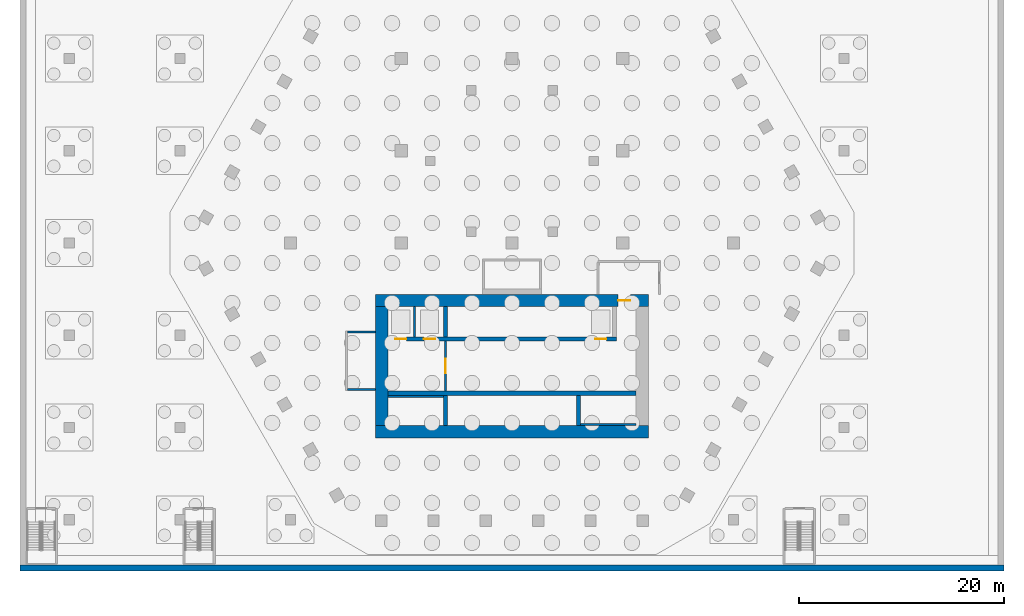
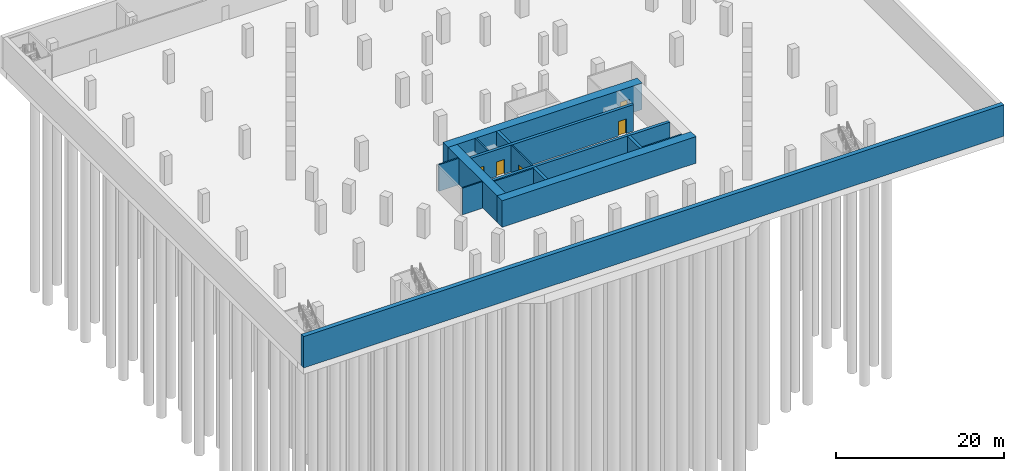
# One storey, part 5 of 21: 15 walls, 5 doors, 5 openings.
"""IFC4 building model written with IfcOpenShell, lengths in metres."""

from ifc_helpers import new_model, si_unit, direction, frame, frame_2d, origin, place, context, subcontext, project, spatial, rectangle, extrude, material, layer, layer_set, type_object, element, fill, save


model = new_model("IFC4")

# Units and contexts
model_context = context("Model", 3, precision=1e-05, world=origin(), true_north=direction((0.0, 1.0)))
body_context = subcontext(model_context, "Body", "Model", "MODEL_VIEW")
ifc_project = project(units=[si_unit("LENGTHUNIT", "METRE"), si_unit("AREAUNIT", "SQUARE_METRE"), si_unit("VOLUMEUNIT", "CUBIC_METRE"), si_unit("PLANEANGLEUNIT", "RADIAN"), si_unit("MASSUNIT", "GRAM", prefix="KILO")], contexts=[model_context])

# Site, building, storey
site_placement = place(None, origin())
site = spatial("IfcSite", under=ifc_project, at=site_placement, CompositionType="ELEMENT")
building_placement = place(site_placement, origin())
building = spatial("IfcBuilding", under=site, at=building_placement, Name="Beryl Residences", CompositionType="ELEMENT")
storey_placement = place(building_placement, frame((0.0, 0.0, -8.39990234375)))
storey = spatial("IfcBuildingStorey", under=building, at=storey_placement, Name="B2", CompositionType="ELEMENT", Elevation=-8.39990234375)

# Wall, opening, door
ifc_material_1 = material(Name="Concrete masonry", Category="masonry")
ifc_layer_1 = layer(ifc_material_1, 0.199951171875)
ifc_layer_set_1 = layer_set([ifc_layer_1], Name="PT13 lobby wall 200 mm")
wall_type_1 = type_object("IfcWallType", Name="PT13 lobby wall 200 mm", PredefinedType="PARTITIONING", material=ifc_layer_set_1)
wall_1_placement = place(storey_placement, frame((-6.5, -14.449951171875, 0.0), z_axis=(0.0, 0.0, 1.0), x_axis=(0.0, 1.0, 0.0)))
wall_1 = element("IfcWall", 1, at=wall_1_placement, inside=storey, type_object=wall_type_1, Name="Lobby wall 06", PredefinedType="PARTITIONING", context=body_context, shape_type="SweptSolid", body=[
    extrude(rectangle(XDim=4.89990234375, YDim=0.199951171875, at=frame_2d((2.449951171875, 0.0))), origin(), (0.0, 0.0, 1.0), 3.849853515625),
])
opening_1_placement = place(wall_1_placement, frame((3.14990234375, 0.0, 0.0), z_axis=(0.0, 0.0, 1.0), x_axis=(-1.0, 0.0, 0.0)))
opening_1 = element("IfcOpeningElement", 2, at=opening_1_placement, cuts=wall_1, Name="Opening FD-FFL", PredefinedType="OPENING", context=body_context, shape_type="SweptSolid", body=[
    extrude(rectangle(XDim=1.39990234375, YDim=2.10009765625, at=frame_2d((0.699951171875, 1.050048828125))), frame((0.0, 0.10986328125, 0.0), z_axis=(0.0, -1.0, 0.0), x_axis=(1.0, 0.0, 0.0)), (0.0, 0.0, 1.0), 0.219970703125),
])
ifc_material_2 = material(Name="Steel door leaf in steel frame", Category="steel")
door_type_1 = type_object("IfcDoorType", Name="D5 lobby door 1400 x 2100 mm", OperationType="DOUBLE_DOOR_SINGLE_SWING", PredefinedType="DOOR", material=ifc_material_2)
door_1_placement = place(opening_1_placement, origin())
door_1 = element("IfcDoor", 3, at=door_1_placement, inside=storey, type_object=door_type_1, Name="Door FD-FFL B2 001", OperationType="DOUBLE_DOOR_SINGLE_SWING", OverallHeight=2.10009765625, OverallWidth=1.39990234375, PredefinedType="DOOR", context=body_context, shape_type="SweptSolid", body=[
    extrude(rectangle(XDim=1.39990234375, YDim=2.10009765625, at=frame_2d((0.699951171875, 1.050048828125))), frame((0.0, 0.02490234375, 0.0), z_axis=(0.0, -1.0, 0.0), x_axis=(1.0, 0.0, 0.0)), (0.0, 0.0, 1.0), 0.050048828125),
])
fill(opening_1, door_1)

# Walls
ifc_material_3 = material(Name="Concrete C40/50", Category="concrete")
ifc_layer_2 = layer(ifc_material_3, 0.199951171875)
ifc_layer_set_2 = layer_set([ifc_layer_2], Name="PT5 stair enclosure wall 200 mm reinforced concrete C40/50")
wall_type_2 = type_object("IfcWallType", Name="PT5 stair enclosure wall 200 mm reinforced concrete C40/50", PredefinedType="SOLIDWALL", material=ifc_layer_set_2)
for number, where, z_axis, x_axis, name in (
    (4, (-16.050048828125, -14.300048828125, 0.0), (0.0, 0.0, 1.0), (1.0, 0.0, 0.0), "Stair wall 02"),
    (5, (-16.050048828125, -8.699951171875, 0.0), (0.0, 0.0, 1.0), (1.0, 0.0, 0.0), "Stair wall 03"),
):
    element("IfcWall", number, at=place(storey_placement, frame(where, z_axis=z_axis, x_axis=x_axis)), inside=storey, type_object=wall_type_2, Name=name, PredefinedType="SOLIDWALL", context=body_context, shape_type="SweptSolid", body=[
        extrude(rectangle(XDim=2.75, YDim=0.199951171875, at=frame_2d((1.375, 0.0))), origin(), (0.0, 0.0, 1.0), 3.849853515625),
    ])
for number, where, z_axis, x_axis, name in (
    (6, (-12.10009765625, -14.949951171875, 0.0), (0.0, 0.0, 1.0), (1.0, 0.0, 0.0), "Stair wall 04"),
    (7, (6.699951171875, -17.699951171875, 0.0), (0.0, 0.0, 1.0), (1.0, 0.0, 0.0), "Stair wall 07"),
):
    element("IfcWall", number, at=place(storey_placement, frame(where, z_axis=z_axis, x_axis=x_axis)), inside=storey, type_object=wall_type_2, Name=name, PredefinedType="SOLIDWALL", context=body_context, shape_type="SweptSolid", body=[
        extrude(rectangle(XDim=5.400146484375, YDim=0.199951171875, at=frame_2d((2.7001953125, 0.0))), origin(), (0.0, 0.0, 1.0), 3.849853515625),
    ])
ifc_material_4 = material(Name="Concrete C40/50", Category="concrete")
ifc_layer_3 = layer(ifc_material_4, 0.199951171875)
ifc_layer_set_3 = layer_set([ifc_layer_3], Name="PT6 lift shaft wall 200 mm reinforced concrete C40/50")
wall_type_3 = type_object("IfcWallType", Name="PT6 lift shaft wall 200 mm reinforced concrete C40/50", PredefinedType="SOLIDWALL", material=ifc_layer_set_3)
wall_2_placement = place(storey_placement, frame((-9.5, -9.14990234375, 0.0), z_axis=(0.0, 0.0, 1.0), x_axis=(0.0, 1.0, 0.0)))
element("IfcWall", 8, at=wall_2_placement, inside=storey, type_object=wall_type_3, Name="Lift shaft wall 05", PredefinedType="SOLIDWALL", context=body_context, shape_type="SweptSolid", body=[
    extrude(rectangle(XDim=2.949951171875, YDim=0.199951171875, at=frame_2d((1.47509765625, 0.0))), origin(), (0.0, 0.0, 1.0), 3.849853515625),
])
ifc_material_5 = material(Name="Concrete C50/60", Category="concrete")
ifc_layer_4 = layer(ifc_material_5, 0.60009765625)
ifc_layer_set_4 = layer_set([ifc_layer_4], Name="RW1 basement wall 600 mm C50/60")
wall_type_4 = type_object("IfcWallType", Name="RW1 basement wall 600 mm C50/60", PredefinedType="SOLIDWALL", material=ifc_layer_set_4)
wall_3_placement = place(storey_placement, frame((-48.0, -31.699951171875, -0.35009765625), z_axis=(0.0, 0.0, 1.0), x_axis=(1.0, 0.0, 0.0)))
element("IfcWall", 9, at=wall_3_placement, inside=storey, type_object=wall_type_4, Name="RW1 B2 S", PredefinedType="SOLIDWALL", context=body_context, shape_type="SweptSolid", body=[
    extrude(rectangle(XDim=96.0, YDim=0.60009765625, at=frame_2d((48.0, 0.0))), origin(), (0.0, 0.0, 1.0), 4.550048828125),
])
ifc_material_6 = material(Name="Concrete C80/95", Category="concrete")
ifc_layer_5 = layer(ifc_material_6, 1.199951171875)
ifc_layer_set_5 = layer_set([ifc_layer_5], Name="SW1 core outer wall 1200 mm C80/95")
wall_type_5 = type_object("IfcWallType", Name="SW1 core outer wall 1200 mm C80/95", PredefinedType="SHEAR", material=ifc_layer_set_5)
wall_4_placement = place(storey_placement, frame((-13.300048828125, -18.39990234375, 0.0), z_axis=(0.0, 0.0, 1.0), x_axis=(1.0, 0.0, 0.0)))
element("IfcWall", 10, at=wall_4_placement, inside=storey, type_object=wall_type_5, Name="Core wall S B2", PredefinedType="SHEAR", context=body_context, shape_type="SweptSolid", body=[
    extrude(rectangle(XDim=26.60009765625, YDim=1.199951171875, at=frame_2d((13.300048828125, 0.0))), origin(), (0.0, 0.0, 1.0), 3.849853515625),
])

# Wall, opening, door
wall_5_placement = place(storey_placement, frame((-13.300048828125, -5.60009765625, 0.0), z_axis=(0.0, 0.0, 1.0), x_axis=(1.0, 0.0, 0.0)))
wall_5 = element("IfcWall", 11, at=wall_5_placement, inside=storey, type_object=wall_type_5, Name="Core wall N B2", PredefinedType="SHEAR", context=body_context, shape_type="SweptSolid", body=[
    extrude(rectangle(XDim=26.60009765625, YDim=1.199951171875, at=frame_2d((13.300048828125, 0.0))), origin(), (0.0, 0.0, 1.0), 3.849853515625),
])
opening_2_placement = place(wall_5_placement, frame((23.64990234375, 0.0, 0.0)))
opening_2 = element("IfcOpeningElement", 12, at=opening_2_placement, cuts=wall_5, Name="Opening FD-NORTH", PredefinedType="OPENING", context=body_context, shape_type="SweptSolid", body=[
    extrude(rectangle(XDim=1.199951171875, YDim=2.10009765625, at=frame_2d((0.60009765625, 1.050048828125))), frame((0.0, 0.60986328125, 0.0), z_axis=(0.0, -1.0, 0.0), x_axis=(1.0, 0.0, 0.0)), (0.0, 0.0, 1.0), 1.219970703125),
])
ifc_material_7 = material(Name="Steel door leaf in steel frame", Category="steel")
door_type_2 = type_object("IfcDoorType", Name="D22 lobby door 1200 x 2100 mm", OperationType="DOUBLE_DOOR_SINGLE_SWING", PredefinedType="DOOR", material=ifc_material_7)
door_2_placement = place(opening_2_placement, origin())
door_2 = element("IfcDoor", 13, at=door_2_placement, inside=storey, type_object=door_type_2, Name="Door FD-NORTH B2 001", OperationType="DOUBLE_DOOR_SINGLE_SWING", OverallHeight=2.10009765625, OverallWidth=1.199951171875, PredefinedType="DOOR", context=body_context, shape_type="SweptSolid", body=[
    extrude(rectangle(XDim=1.199951171875, YDim=2.10009765625, at=frame_2d((0.60009765625, 1.050048828125))), frame((0.0, 0.02490234375, 0.0), z_axis=(0.0, -1.0, 0.0), x_axis=(1.0, 0.0, 0.0)), (0.0, 0.0, 1.0), 0.050048828125),
])
fill(opening_2, door_2)

# Walls
wall_6_placement = place(storey_placement, frame((-12.699951171875, -17.800048828125, 0.0), z_axis=(0.0, 0.0, 1.0), x_axis=(0.0, 1.0, 0.0)))
element("IfcWall", 14, at=wall_6_placement, inside=storey, type_object=wall_type_5, Name="Core wall W B2", PredefinedType="SHEAR", context=body_context, shape_type="SweptSolid", body=[
    extrude(rectangle(XDim=11.60009765625, YDim=1.199951171875, at=frame_2d((5.800048828125, 0.0))), origin(), (0.0, 0.0, 1.0), 3.849853515625),
])
ifc_material_8 = material(Name="Concrete C80/95", Category="concrete")
ifc_layer_6 = layer(ifc_material_8, 0.39990234375)
ifc_layer_set_6 = layer_set([ifc_layer_6], Name="SW6 core internal wall 400 mm C80/95")
wall_type_6 = type_object("IfcWallType", Name="SW6 core internal wall 400 mm C80/95", PredefinedType="SHEAR", material=ifc_layer_set_6)
wall_7_placement = place(storey_placement, frame((-12.10009765625, -14.64990234375, 0.0), z_axis=(0.0, 0.0, 1.0), x_axis=(1.0, 0.0, 0.0)))
element("IfcWall", 15, at=wall_7_placement, inside=storey, type_object=wall_type_6, Name="Core wall SP1 B2", PredefinedType="SHEAR", context=body_context, shape_type="SweptSolid", body=[
    extrude(rectangle(XDim=24.2001953125, YDim=0.39990234375, at=frame_2d((12.10009765625, 0.0))), origin(), (0.0, 0.0, 1.0), 3.849853515625),
])

# Wall, openings, doors
wall_8_placement = place(storey_placement, frame((-12.10009765625, -9.35009765625, 0.0), z_axis=(0.0, 0.0, 1.0), x_axis=(1.0, 0.0, 0.0)))
wall_8 = element("IfcWall", 16, at=wall_8_placement, inside=storey, type_object=wall_type_6, Name="Core wall SP2 B2", PredefinedType="SHEAR", context=body_context, shape_type="SweptSolid", body=[
    extrude(rectangle(XDim=22.300048828125, YDim=0.39990234375, at=frame_2d((11.14990234375, 0.0))), origin(), (0.0, 0.0, 1.0), 3.849853515625),
])
opening_3_placement = place(wall_8_placement, frame((0.699951171875, 0.0, 0.0)))
opening_3 = element("IfcOpeningElement", 17, at=opening_3_placement, cuts=wall_8, Name="Opening LD-FF1", PredefinedType="OPENING", context=body_context, shape_type="SweptSolid", body=[
    extrude(rectangle(XDim=1.10009765625, YDim=2.10009765625, at=frame_2d((0.550048828125, 1.050048828125))), frame((0.0, 0.2099609375, 0.0), z_axis=(0.0, -1.0, 0.0), x_axis=(1.0, 0.0, 0.0)), (0.0, 0.0, 1.0), 0.419921875),
])
opening_4_placement = place(wall_8_placement, frame((3.5, 0.0, 0.0)))
opening_4 = element("IfcOpeningElement", 18, at=opening_4_placement, cuts=wall_8, Name="Opening LD-FF2", PredefinedType="OPENING", context=body_context, shape_type="SweptSolid", body=[
    extrude(rectangle(XDim=1.10009765625, YDim=2.10009765625, at=frame_2d((0.550048828125, 1.050048828125))), frame((0.0, 0.2099609375, 0.0), z_axis=(0.0, -1.0, 0.0), x_axis=(1.0, 0.0, 0.0)), (0.0, 0.0, 1.0), 0.419921875),
])
opening_5_placement = place(wall_8_placement, frame((20.199951171875, 0.0, 0.0)))
opening_5 = element("IfcOpeningElement", 19, at=opening_5_placement, cuts=wall_8, Name="Opening LD-SL1", PredefinedType="OPENING", context=body_context, shape_type="SweptSolid", body=[
    extrude(rectangle(XDim=1.10009765625, YDim=2.10009765625, at=frame_2d((0.550048828125, 1.050048828125))), frame((0.0, 0.2099609375, 0.0), z_axis=(0.0, -1.0, 0.0), x_axis=(1.0, 0.0, 0.0)), (0.0, 0.0, 1.0), 0.419921875),
])
ifc_material_9 = material(Name="Stainless steel sliding door", Category="steel")
door_type_3 = type_object("IfcDoorType", Name="LD1 lift landing door 1100 x 2100 mm", OperationType="DOUBLE_DOOR_SLIDING", PredefinedType="DOOR", material=ifc_material_9)
door_3_placement = place(opening_3_placement, origin())
door_3 = element("IfcDoor", 20, at=door_3_placement, inside=storey, type_object=door_type_3, Name="Lift landing door FF1", OperationType="DOUBLE_DOOR_SLIDING", OverallHeight=2.10009765625, OverallWidth=1.10009765625, PredefinedType="DOOR", context=body_context, shape_type="SweptSolid", body=[
    extrude(rectangle(XDim=1.10009765625, YDim=2.10009765625, at=frame_2d((0.550048828125, 1.050048828125))), frame((0.0, 0.02490234375, 0.0), z_axis=(0.0, -1.0, 0.0), x_axis=(1.0, 0.0, 0.0)), (0.0, 0.0, 1.0), 0.050048828125),
])
fill(opening_3, door_3)
door_4_placement = place(opening_4_placement, origin())
door_4 = element("IfcDoor", 21, at=door_4_placement, inside=storey, type_object=door_type_3, Name="Lift landing door FF2", OperationType="DOUBLE_DOOR_SLIDING", OverallHeight=2.10009765625, OverallWidth=1.10009765625, PredefinedType="DOOR", context=body_context, shape_type="SweptSolid", body=[
    extrude(rectangle(XDim=1.10009765625, YDim=2.10009765625, at=frame_2d((0.550048828125, 1.050048828125))), frame((0.0, 0.02490234375, 0.0), z_axis=(0.0, -1.0, 0.0), x_axis=(1.0, 0.0, 0.0)), (0.0, 0.0, 1.0), 0.050048828125),
])
fill(opening_4, door_4)
door_5_placement = place(opening_5_placement, origin())
door_5 = element("IfcDoor", 22, at=door_5_placement, inside=storey, type_object=door_type_3, Name="Lift landing door SL1", OperationType="DOUBLE_DOOR_SLIDING", OverallHeight=2.10009765625, OverallWidth=1.10009765625, PredefinedType="DOOR", context=body_context, shape_type="SweptSolid", body=[
    extrude(rectangle(XDim=1.10009765625, YDim=2.10009765625, at=frame_2d((0.550048828125, 1.050048828125))), frame((0.0, 0.02490234375, 0.0), z_axis=(0.0, -1.0, 0.0), x_axis=(1.0, 0.0, 0.0)), (0.0, 0.0, 1.0), 0.050048828125),
])
fill(opening_5, door_5)

# Walls
for number, where, z_axis, x_axis, name in (
    (23, (-6.5, -17.800048828125, 0.0), (0.0, 0.0, 1.0), (0.0, 1.0, 0.0), "Core wall XS1 B2"),
    (24, (6.5, -17.800048828125, 0.0), (0.0, 0.0, 1.0), (0.0, 1.0, 0.0), "Core wall XS2 B2"),
    (25, (-6.5, -9.14990234375, 0.0), (0.0, 0.0, 1.0), (0.0, 1.0, 0.0), "Core wall XN1 B2"),
):
    element("IfcWall", number, at=place(storey_placement, frame(where, z_axis=z_axis, x_axis=x_axis)), inside=storey, type_object=wall_type_6, Name=name, PredefinedType="SHEAR", context=body_context, shape_type="SweptSolid", body=[
        extrude(rectangle(XDim=2.949951171875, YDim=0.39990234375, at=frame_2d((1.47509765625, 0.0))), origin(), (0.0, 0.0, 1.0), 3.849853515625),
    ])

save(model, "model.ifc")
